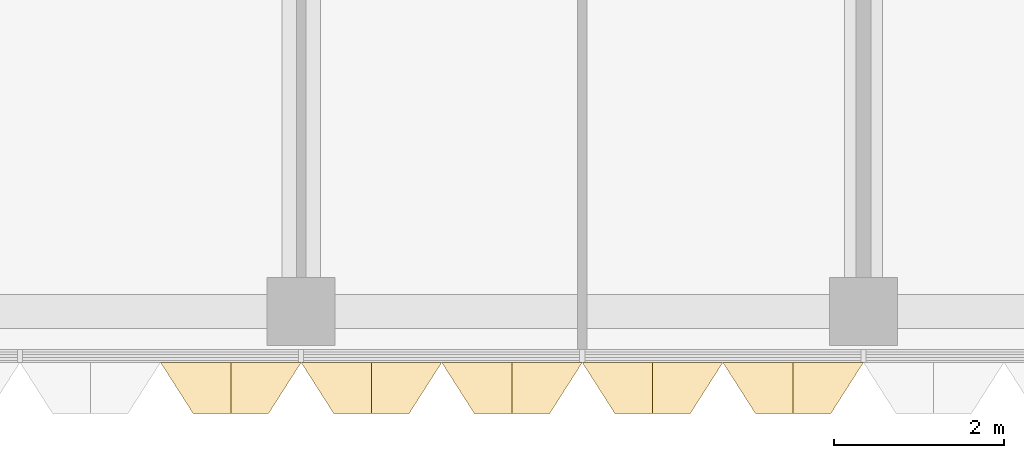
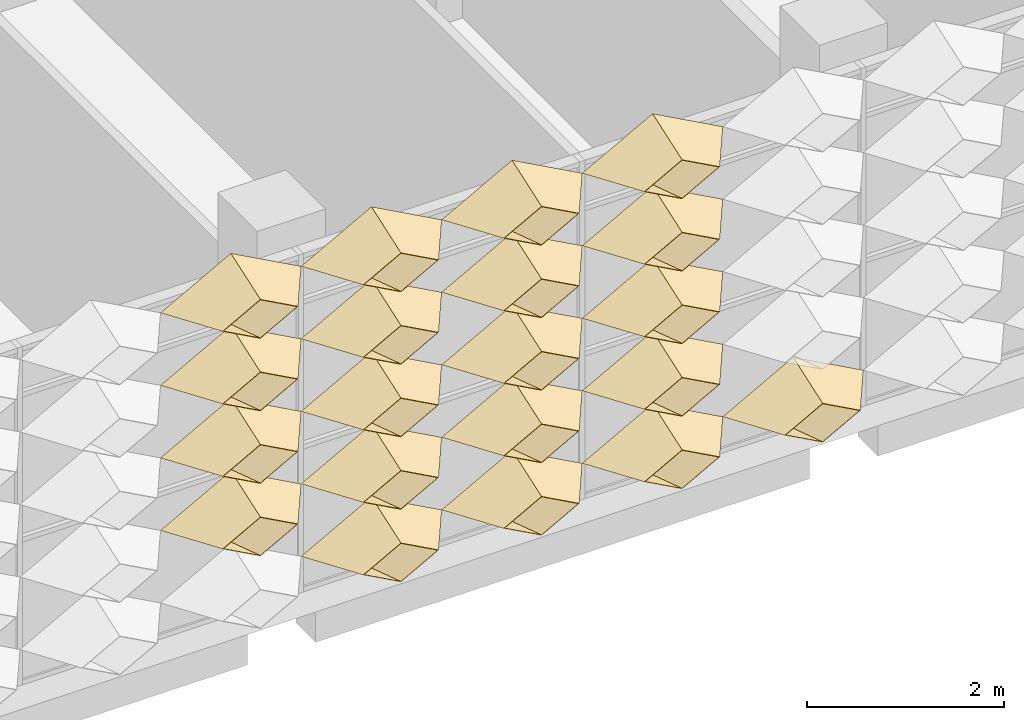
# One storey, part 49 of 61: 20 coverings.
"""IFC4 building model written with IfcOpenShell, lengths in metres."""

import ifcopenshell
import ifcopenshell.guid

model = None  # the IFC model being written
_history = None  # IfcOwnerHistory: only IFC2X3 demands one
_inside = {}  # id of a spatial element -> (the spatial element, [elements in it])
_under = {}  # id of a project, library or spatial element -> (it, [spatial elements below it])
_declared = {}  # id of a project -> (the project, [libraries it declares])
_typed = {}  # id of a type object -> (the type object, [elements of that type])
_made_of = {}  # id of a material, layer set ... -> (it, [elements and type objects made of it])


def new_model(schema):
    """Start an empty IFC model of exactly this schema.

    Asked for "IFC4X3", IfcOpenShell would pick the latest addendum, in which some entities
    have other attributes; the version numbers below select the first issue.
    IFC2X3 requires an IfcOwnerHistory on every rooted entity: one is made here for all.
    """
    global model, _history
    if schema == "IFC4X3":
        model = ifcopenshell.file(schema_version=(4, 3, 0, 0))
    else:
        model = ifcopenshell.file(schema=schema)
    _inside.clear()
    _under.clear()
    _declared.clear()
    _typed.clear()
    _made_of.clear()
    _history = None
    if model.schema == "IFC2X3":
        org = make("IfcOrganization", Name="unknown")
        user = make(
            "IfcPersonAndOrganization",
            ThePerson=make("IfcPerson", FamilyName="unknown"),
            TheOrganization=org,
        )
        app = make(
            "IfcApplication",
            ApplicationDeveloper=org,
            Version="unknown",
            ApplicationFullName="unknown",
            ApplicationIdentifier="unknown",
        )
        _history = make(
            "IfcOwnerHistory",
            OwningUser=user,
            OwningApplication=app,
            ChangeAction="ADDED",
            CreationDate=0,
        )
    return model


def make(cls, **values):
    """One entity of the class cls with the attributes given. An attribute that is None is left unset."""
    return model.create_entity(
        cls, **{name: value for name, value in values.items() if value is not None}
    )


def entity(cls, *values):
    """Any entity or typed value of the class cls, its attributes in the order of the schema. None: left unset."""
    e = model.create_entity(cls)
    for i, value in enumerate(values):
        if value is not None:
            e[i] = value
    return e


def rooted(cls, **values):
    """An entity with a GlobalId (a new one), such as an element, a storey or a relation."""
    return make(cls, GlobalId=ifcopenshell.guid.new(), OwnerHistory=_history, **values)


def si_unit(unit_type, name, prefix=None):
    """IfcSIUnit, for example si_unit("LENGTHUNIT", "METRE", prefix="MILLI")."""
    return make("IfcSIUnit", UnitType=unit_type, Prefix=prefix, Name=name)


def assignment(units):
    """IfcUnitAssignment: the units of a project."""
    return None if units is None else make("IfcUnitAssignment", Units=units)


def point(xyz):
    """IfcCartesianPoint."""
    return None if xyz is None else make("IfcCartesianPoint", Coordinates=xyz)


def direction(xyz):
    """IfcDirection."""
    return None if xyz is None else make("IfcDirection", DirectionRatios=xyz)


def frame(location, z_axis=None, x_axis=None):
    """IfcAxis2Placement3D, a coordinate frame: its origin and axes. An axis left out is left unset."""
    return make(
        "IfcAxis2Placement3D",
        Location=point(location),
        Axis=direction(z_axis),
        RefDirection=direction(x_axis),
    )


def origin():
    """The frame at (0, 0, 0) with its axes left unset."""
    return frame((0.0, 0.0, 0.0))


def place(relative_to, where):
    """IfcLocalPlacement: puts the frame where relative to a parent placement (None: the world)."""
    return make(
        "IfcLocalPlacement", PlacementRelTo=relative_to, RelativePlacement=where
    )


def context(
    kind, dimensions, precision=None, world=None, true_north=None, identifier=None
):
    """IfcGeometricRepresentationContext, for example the 3D "Model" context."""
    return make(
        "IfcGeometricRepresentationContext",
        ContextIdentifier=identifier,
        ContextType=kind,
        CoordinateSpaceDimension=dimensions,
        Precision=precision,
        WorldCoordinateSystem=world,
        TrueNorth=true_north,
    )


def subcontext(parent, identifier, kind, view, scale=None):
    """IfcGeometricRepresentationSubContext, for example "Body" below "Model"."""
    return make(
        "IfcGeometricRepresentationSubContext",
        ContextIdentifier=identifier,
        ContextType=kind,
        ParentContext=parent,
        TargetScale=scale,
        TargetView=view,
    )


def project(units=None, contexts=None):
    """IfcProject with its units and contexts."""
    return rooted(
        "IfcProject",
        Name="project",
        RepresentationContexts=contexts,
        UnitsInContext=assignment(units),
    )


def spatial(cls, under=None, at=None, **own):
    """A site, building, storey or space (cls), placed at a placement, below another one or the project."""
    s = rooted(cls, ObjectPlacement=at, **own)
    if under is not None:
        _under.setdefault(under.id(), (under, []))[1].append(s)
    return s


def shape(context_of_items, identifier, shape_type, items):
    """IfcShapeRepresentation: the items that make up one representation, for example the "Body"."""
    return make(
        "IfcShapeRepresentation",
        ContextOfItems=context_of_items,
        RepresentationIdentifier=identifier,
        RepresentationType=shape_type,
        Items=items,
    )


def material(Name=None, Category=None):
    """IfcMaterial."""
    return make("IfcMaterial", Name=Name, Category=Category)


def layer(
    of_material, thickness, ventilated=None, Name=None, Category=None, Priority=None
):
    """IfcMaterialLayer: one layer of a wall or slab, of a material (None: an air gap)."""
    return make(
        "IfcMaterialLayer",
        Material=of_material,
        LayerThickness=thickness,
        IsVentilated=ventilated,
        Name=Name,
        Category=Category,
        Priority=Priority,
    )


def layer_set(layers, Name=None):
    """IfcMaterialLayerSet."""
    return make("IfcMaterialLayerSet", MaterialLayers=layers, LayerSetName=Name)


def made_of(thing, what):
    """Note that an element or type object is made of a material, layer set ...; save() writes the relation."""
    if what is not None:
        _made_of.setdefault(what.id(), (what, []))[1].append(thing)
    return thing


def type_object(cls, material=None, **own):
    """A type object (cls), such as IfcWallType, which elements share."""
    return made_of(rooted(cls, **own), material)


def element(
    cls,
    number,
    at=None,
    inside=None,
    cuts=None,
    type_object=None,
    material=None,
    context=None,
    identifier="Body",
    shape_type=None,
    held_by="IfcProductDefinitionShape",
    body=None,
    shapes=None,
    **own,
):
    """One element of the class cls, such as IfcWall. Its Tag is "e" and its number.

    at: its placement. inside: the storey or other place that contains it. cuts: it is an
    opening in that element (IfcRelVoidsElement). A single representation is given by context,
    identifier, shape_type and body (its items); several are given by shapes. held_by: the class
    of the entity that holds the representations. save() writes the other relations.
    """
    e = rooted(cls, Tag="e%d" % number, ObjectPlacement=at, **own)
    if body is not None:
        shapes = [shape(context, identifier, shape_type, body)]
    if shapes is not None:
        e.Representation = make(held_by, Representations=shapes)
    if inside is not None:
        _inside.setdefault(inside.id(), (inside, []))[1].append(e)
    if cuts is not None:
        rooted(
            "IfcRelVoidsElement", RelatingBuildingElement=cuts, RelatedOpeningElement=e
        )
    if type_object is not None:
        _typed.setdefault(type_object.id(), (type_object, []))[1].append(e)
    return made_of(e, material)


def aggregate(whole, parts):
    """IfcRelAggregates: a whole, such as a stair, and the parts it consists of."""
    return rooted("IfcRelAggregates", RelatingObject=whole, RelatedObjects=parts)


def save(model, path):
    """Write the relations noted so far, then the file.

    IfcRelAggregates (storeys below a building ...), IfcRelContainedInSpatialStructure (elements
    in a storey), IfcRelDefinesByType, IfcRelAssociatesMaterial and IfcRelDeclares: one each for
    every whole, place, type object, material and project.
    """
    for whole, parts in _under.values():
        aggregate(whole, parts)
    for where, things in _inside.values():
        rooted(
            "IfcRelContainedInSpatialStructure",
            RelatedElements=things,
            RelatingStructure=where,
        )
    for kind, things in _typed.values():
        rooted("IfcRelDefinesByType", RelatedObjects=things, RelatingType=kind)
    for what, things in _made_of.values():
        rooted("IfcRelAssociatesMaterial", RelatedObjects=things, RelatingMaterial=what)
    for by, libraries in _declared.values():
        rooted("IfcRelDeclares", RelatingContext=by, RelatedDefinitions=libraries)
    model.write(path)


model = new_model("IFC4")

# Units and contexts
model_context = context("Model", 3, precision=1e-05, world=origin(), true_north=direction((0.0, 1.0)))
body_context = subcontext(model_context, "Body", "Model", "MODEL_VIEW")
ifc_project = project(units=[si_unit("LENGTHUNIT", "METRE"), si_unit("AREAUNIT", "SQUARE_METRE"), si_unit("VOLUMEUNIT", "CUBIC_METRE"), si_unit("PLANEANGLEUNIT", "RADIAN"), si_unit("MASSUNIT", "GRAM", prefix="KILO")], contexts=[model_context])

# Site, building, storey
site_placement = place(None, origin())
site = spatial("IfcSite", under=ifc_project, at=site_placement, CompositionType="ELEMENT")
building_placement = place(site_placement, origin())
building = spatial("IfcBuilding", under=site, at=building_placement, Name="Lantern Court Research Institute", CompositionType="ELEMENT")
storey_placement = place(building_placement, frame((0.0, 0.0, 23.39990234375)))
storey = spatial("IfcBuildingStorey", under=building, at=storey_placement, Name="L05", CompositionType="ELEMENT", Elevation=23.39990234375)

# Coverings
ifc_material = material(Name="Anodised aluminium", Category="aluminium")
ifc_layer = layer(ifc_material, 0.01611328125)
ifc_layer_set = layer_set([ifc_layer], Name="Anodised aluminium")
covering_type = type_object("IfcCoveringType", Name="Fin cassette 1650 x 900 x 600 aluminium", PredefinedType="CLADDING", material=ifc_layer_set)
covering_1_placement = place(storey_placement, frame((66.824951171875, -8.39990234375, 0.4501953125), z_axis=(0.0, -1.0, 0.0), x_axis=(1.0, 0.0, 0.0)))
cartesian_point_1 = entity("IfcCartesianPoint", [0.824951171875, 0.0])
cartesian_point_2 = entity("IfcCartesianPoint", [0.79150390625, 0.0])
cartesian_point_3 = entity("IfcCartesianPoint", [0.44189453125, 0.0])
cartesian_point_4 = entity("IfcCartesianPoint", [0.43359375, 0.0])
element("IfcCovering", 1, at=covering_1_placement, inside=storey, type_object=covering_type, Name="Fin cassette V5S-L05 1.41", PredefinedType="CLADDING", context=body_context, shape_type="SweptSolid", body=[
    entity("IfcExtrudedAreaSolidTapered", entity("IfcArbitraryProfileDefWithVoids", "AREA", None, entity("IfcPolyline", [cartesian_point_1, entity("IfcCartesianPoint", [0.0, 0.449951171875]), entity("IfcCartesianPoint", [-0.824951171875, 0.0]), entity("IfcCartesianPoint", [0.0, -0.449951171875]), cartesian_point_1]), [entity("IfcPolyline", [cartesian_point_2, entity("IfcCartesianPoint", [0.0, 0.431884765625]), entity("IfcCartesianPoint", [-0.79150390625, 0.0]), entity("IfcCartesianPoint", [0.0, -0.431884765625]), cartesian_point_2])]), entity("IfcAxis2Placement3D", entity("IfcCartesianPoint", [0.0, 0.0, 0.0])), entity("IfcDirection", [0.0, 0.0, 1.0]), 0.60009765625, entity("IfcArbitraryProfileDefWithVoids", "AREA", None, entity("IfcPolyline", [cartesian_point_3, entity("IfcCartesianPoint", [0.0, 0.240966796875]), entity("IfcCartesianPoint", [-0.44189453125, 0.0]), entity("IfcCartesianPoint", [0.0, -0.240966796875]), cartesian_point_3]), [entity("IfcPolyline", [cartesian_point_4, entity("IfcCartesianPoint", [0.0, 0.236572265625]), entity("IfcCartesianPoint", [-0.43359375, 0.0]), entity("IfcCartesianPoint", [0.0, -0.236572265625]), cartesian_point_4])])),
])
covering_2_placement = place(storey_placement, frame((68.47509765625, -8.39990234375, 0.4501953125), z_axis=(0.0, -1.0, 0.0), x_axis=(1.0, 0.0, 0.0)))
cartesian_point_5 = entity("IfcCartesianPoint", [0.824951171875, 0.0])
cartesian_point_6 = entity("IfcCartesianPoint", [0.79150390625, 0.0])
cartesian_point_7 = entity("IfcCartesianPoint", [0.44189453125, 0.0])
cartesian_point_8 = entity("IfcCartesianPoint", [0.43359375, 0.0])
element("IfcCovering", 2, at=covering_2_placement, inside=storey, type_object=covering_type, Name="Fin cassette V5S-L05 1.42", PredefinedType="CLADDING", context=body_context, shape_type="SweptSolid", body=[
    entity("IfcExtrudedAreaSolidTapered", entity("IfcArbitraryProfileDefWithVoids", "AREA", None, entity("IfcPolyline", [cartesian_point_5, entity("IfcCartesianPoint", [0.0, 0.449951171875]), entity("IfcCartesianPoint", [-0.824951171875, 0.0]), entity("IfcCartesianPoint", [0.0, -0.449951171875]), cartesian_point_5]), [entity("IfcPolyline", [cartesian_point_6, entity("IfcCartesianPoint", [0.0, 0.431884765625]), entity("IfcCartesianPoint", [-0.79150390625, 0.0]), entity("IfcCartesianPoint", [0.0, -0.431884765625]), cartesian_point_6])]), entity("IfcAxis2Placement3D", entity("IfcCartesianPoint", [0.0, 0.0, 0.0])), entity("IfcDirection", [0.0, 0.0, 1.0]), 0.60009765625, entity("IfcArbitraryProfileDefWithVoids", "AREA", None, entity("IfcPolyline", [cartesian_point_7, entity("IfcCartesianPoint", [0.0, 0.240966796875]), entity("IfcCartesianPoint", [-0.44189453125, 0.0]), entity("IfcCartesianPoint", [0.0, -0.240966796875]), cartesian_point_7]), [entity("IfcPolyline", [cartesian_point_8, entity("IfcCartesianPoint", [0.0, 0.236572265625]), entity("IfcCartesianPoint", [-0.43359375, 0.0]), entity("IfcCartesianPoint", [0.0, -0.236572265625]), cartesian_point_8])])),
])
covering_3_placement = place(storey_placement, frame((70.125, -8.39990234375, 0.4501953125), z_axis=(0.0, -1.0, 0.0), x_axis=(1.0, 0.0, 0.0)))
cartesian_point_9 = entity("IfcCartesianPoint", [0.824951171875, 0.0])
cartesian_point_10 = entity("IfcCartesianPoint", [0.79150390625, 0.0])
cartesian_point_11 = entity("IfcCartesianPoint", [0.44189453125, 0.0])
cartesian_point_12 = entity("IfcCartesianPoint", [0.43359375, 0.0])
element("IfcCovering", 3, at=covering_3_placement, inside=storey, type_object=covering_type, Name="Fin cassette V5S-L05 1.43", PredefinedType="CLADDING", context=body_context, shape_type="SweptSolid", body=[
    entity("IfcExtrudedAreaSolidTapered", entity("IfcArbitraryProfileDefWithVoids", "AREA", None, entity("IfcPolyline", [cartesian_point_9, entity("IfcCartesianPoint", [0.0, 0.449951171875]), entity("IfcCartesianPoint", [-0.824951171875, 0.0]), entity("IfcCartesianPoint", [0.0, -0.449951171875]), cartesian_point_9]), [entity("IfcPolyline", [cartesian_point_10, entity("IfcCartesianPoint", [0.0, 0.431884765625]), entity("IfcCartesianPoint", [-0.79150390625, 0.0]), entity("IfcCartesianPoint", [0.0, -0.431884765625]), cartesian_point_10])]), entity("IfcAxis2Placement3D", entity("IfcCartesianPoint", [0.0, 0.0, 0.0])), entity("IfcDirection", [0.0, 0.0, 1.0]), 0.60009765625, entity("IfcArbitraryProfileDefWithVoids", "AREA", None, entity("IfcPolyline", [cartesian_point_11, entity("IfcCartesianPoint", [0.0, 0.240966796875]), entity("IfcCartesianPoint", [-0.44189453125, 0.0]), entity("IfcCartesianPoint", [0.0, -0.240966796875]), cartesian_point_11]), [entity("IfcPolyline", [cartesian_point_12, entity("IfcCartesianPoint", [0.0, 0.236572265625]), entity("IfcCartesianPoint", [-0.43359375, 0.0]), entity("IfcCartesianPoint", [0.0, -0.236572265625]), cartesian_point_12])])),
])
covering_4_placement = place(storey_placement, frame((71.77490234375, -8.39990234375, 0.4501953125), z_axis=(0.0, -1.0, 0.0), x_axis=(1.0, 0.0, 0.0)))
cartesian_point_13 = entity("IfcCartesianPoint", [0.824951171875, 0.0])
cartesian_point_14 = entity("IfcCartesianPoint", [0.79150390625, 0.0])
cartesian_point_15 = entity("IfcCartesianPoint", [0.44189453125, 0.0])
cartesian_point_16 = entity("IfcCartesianPoint", [0.43359375, 0.0])
element("IfcCovering", 4, at=covering_4_placement, inside=storey, type_object=covering_type, Name="Fin cassette V5S-L05 1.44", PredefinedType="CLADDING", context=body_context, shape_type="SweptSolid", body=[
    entity("IfcExtrudedAreaSolidTapered", entity("IfcArbitraryProfileDefWithVoids", "AREA", None, entity("IfcPolyline", [cartesian_point_13, entity("IfcCartesianPoint", [0.0, 0.449951171875]), entity("IfcCartesianPoint", [-0.824951171875, 0.0]), entity("IfcCartesianPoint", [0.0, -0.449951171875]), cartesian_point_13]), [entity("IfcPolyline", [cartesian_point_14, entity("IfcCartesianPoint", [0.0, 0.431884765625]), entity("IfcCartesianPoint", [-0.79150390625, 0.0]), entity("IfcCartesianPoint", [0.0, -0.431884765625]), cartesian_point_14])]), entity("IfcAxis2Placement3D", entity("IfcCartesianPoint", [0.0, 0.0, 0.0])), entity("IfcDirection", [0.0, 0.0, 1.0]), 0.60009765625, entity("IfcArbitraryProfileDefWithVoids", "AREA", None, entity("IfcPolyline", [cartesian_point_15, entity("IfcCartesianPoint", [0.0, 0.240966796875]), entity("IfcCartesianPoint", [-0.44189453125, 0.0]), entity("IfcCartesianPoint", [0.0, -0.240966796875]), cartesian_point_15]), [entity("IfcPolyline", [cartesian_point_16, entity("IfcCartesianPoint", [0.0, 0.236572265625]), entity("IfcCartesianPoint", [-0.43359375, 0.0]), entity("IfcCartesianPoint", [0.0, -0.236572265625]), cartesian_point_16])])),
])
covering_5_placement = place(storey_placement, frame((65.175048828125, -8.39990234375, 1.35009765625), z_axis=(0.0, -1.0, 0.0), x_axis=(1.0, 0.0, 0.0)))
cartesian_point_17 = entity("IfcCartesianPoint", [0.824951171875, 0.0])
cartesian_point_18 = entity("IfcCartesianPoint", [0.79150390625, 0.0])
cartesian_point_19 = entity("IfcCartesianPoint", [0.44189453125, 0.0])
cartesian_point_20 = entity("IfcCartesianPoint", [0.43359375, 0.0])
element("IfcCovering", 5, at=covering_5_placement, inside=storey, type_object=covering_type, Name="Fin cassette V5S-L05 2.40", PredefinedType="CLADDING", context=body_context, shape_type="SweptSolid", body=[
    entity("IfcExtrudedAreaSolidTapered", entity("IfcArbitraryProfileDefWithVoids", "AREA", None, entity("IfcPolyline", [cartesian_point_17, entity("IfcCartesianPoint", [0.0, 0.449951171875]), entity("IfcCartesianPoint", [-0.824951171875, 0.0]), entity("IfcCartesianPoint", [0.0, -0.449951171875]), cartesian_point_17]), [entity("IfcPolyline", [cartesian_point_18, entity("IfcCartesianPoint", [0.0, 0.431884765625]), entity("IfcCartesianPoint", [-0.79150390625, 0.0]), entity("IfcCartesianPoint", [0.0, -0.431884765625]), cartesian_point_18])]), entity("IfcAxis2Placement3D", entity("IfcCartesianPoint", [0.0, 0.0, 0.0])), entity("IfcDirection", [0.0, 0.0, 1.0]), 0.60009765625, entity("IfcArbitraryProfileDefWithVoids", "AREA", None, entity("IfcPolyline", [cartesian_point_19, entity("IfcCartesianPoint", [0.0, 0.240966796875]), entity("IfcCartesianPoint", [-0.44189453125, 0.0]), entity("IfcCartesianPoint", [0.0, -0.240966796875]), cartesian_point_19]), [entity("IfcPolyline", [cartesian_point_20, entity("IfcCartesianPoint", [0.0, 0.236572265625]), entity("IfcCartesianPoint", [-0.43359375, 0.0]), entity("IfcCartesianPoint", [0.0, -0.236572265625]), cartesian_point_20])])),
])
covering_6_placement = place(storey_placement, frame((66.824951171875, -8.39990234375, 1.35009765625), z_axis=(0.0, -1.0, 0.0), x_axis=(1.0, 0.0, 0.0)))
cartesian_point_21 = entity("IfcCartesianPoint", [0.824951171875, 0.0])
cartesian_point_22 = entity("IfcCartesianPoint", [0.79150390625, 0.0])
cartesian_point_23 = entity("IfcCartesianPoint", [0.44189453125, 0.0])
cartesian_point_24 = entity("IfcCartesianPoint", [0.43359375, 0.0])
element("IfcCovering", 6, at=covering_6_placement, inside=storey, type_object=covering_type, Name="Fin cassette V5S-L05 2.41", PredefinedType="CLADDING", context=body_context, shape_type="SweptSolid", body=[
    entity("IfcExtrudedAreaSolidTapered", entity("IfcArbitraryProfileDefWithVoids", "AREA", None, entity("IfcPolyline", [cartesian_point_21, entity("IfcCartesianPoint", [0.0, 0.449951171875]), entity("IfcCartesianPoint", [-0.824951171875, 0.0]), entity("IfcCartesianPoint", [0.0, -0.449951171875]), cartesian_point_21]), [entity("IfcPolyline", [cartesian_point_22, entity("IfcCartesianPoint", [0.0, 0.431884765625]), entity("IfcCartesianPoint", [-0.79150390625, 0.0]), entity("IfcCartesianPoint", [0.0, -0.431884765625]), cartesian_point_22])]), entity("IfcAxis2Placement3D", entity("IfcCartesianPoint", [0.0, 0.0, 0.0])), entity("IfcDirection", [0.0, 0.0, 1.0]), 0.60009765625, entity("IfcArbitraryProfileDefWithVoids", "AREA", None, entity("IfcPolyline", [cartesian_point_23, entity("IfcCartesianPoint", [0.0, 0.240966796875]), entity("IfcCartesianPoint", [-0.44189453125, 0.0]), entity("IfcCartesianPoint", [0.0, -0.240966796875]), cartesian_point_23]), [entity("IfcPolyline", [cartesian_point_24, entity("IfcCartesianPoint", [0.0, 0.236572265625]), entity("IfcCartesianPoint", [-0.43359375, 0.0]), entity("IfcCartesianPoint", [0.0, -0.236572265625]), cartesian_point_24])])),
])
covering_7_placement = place(storey_placement, frame((68.47509765625, -8.39990234375, 1.35009765625), z_axis=(0.0, -1.0, 0.0), x_axis=(1.0, 0.0, 0.0)))
cartesian_point_25 = entity("IfcCartesianPoint", [0.824951171875, 0.0])
cartesian_point_26 = entity("IfcCartesianPoint", [0.79150390625, 0.0])
cartesian_point_27 = entity("IfcCartesianPoint", [0.44189453125, 0.0])
cartesian_point_28 = entity("IfcCartesianPoint", [0.43359375, 0.0])
element("IfcCovering", 7, at=covering_7_placement, inside=storey, type_object=covering_type, Name="Fin cassette V5S-L05 2.42", PredefinedType="CLADDING", context=body_context, shape_type="SweptSolid", body=[
    entity("IfcExtrudedAreaSolidTapered", entity("IfcArbitraryProfileDefWithVoids", "AREA", None, entity("IfcPolyline", [cartesian_point_25, entity("IfcCartesianPoint", [0.0, 0.449951171875]), entity("IfcCartesianPoint", [-0.824951171875, 0.0]), entity("IfcCartesianPoint", [0.0, -0.449951171875]), cartesian_point_25]), [entity("IfcPolyline", [cartesian_point_26, entity("IfcCartesianPoint", [0.0, 0.431884765625]), entity("IfcCartesianPoint", [-0.79150390625, 0.0]), entity("IfcCartesianPoint", [0.0, -0.431884765625]), cartesian_point_26])]), entity("IfcAxis2Placement3D", entity("IfcCartesianPoint", [0.0, 0.0, 0.0])), entity("IfcDirection", [0.0, 0.0, 1.0]), 0.60009765625, entity("IfcArbitraryProfileDefWithVoids", "AREA", None, entity("IfcPolyline", [cartesian_point_27, entity("IfcCartesianPoint", [0.0, 0.240966796875]), entity("IfcCartesianPoint", [-0.44189453125, 0.0]), entity("IfcCartesianPoint", [0.0, -0.240966796875]), cartesian_point_27]), [entity("IfcPolyline", [cartesian_point_28, entity("IfcCartesianPoint", [0.0, 0.236572265625]), entity("IfcCartesianPoint", [-0.43359375, 0.0]), entity("IfcCartesianPoint", [0.0, -0.236572265625]), cartesian_point_28])])),
])
covering_8_placement = place(storey_placement, frame((70.125, -8.39990234375, 1.35009765625), z_axis=(0.0, -1.0, 0.0), x_axis=(1.0, 0.0, 0.0)))
cartesian_point_29 = entity("IfcCartesianPoint", [0.824951171875, 0.0])
cartesian_point_30 = entity("IfcCartesianPoint", [0.79150390625, 0.0])
cartesian_point_31 = entity("IfcCartesianPoint", [0.44189453125, 0.0])
cartesian_point_32 = entity("IfcCartesianPoint", [0.43359375, 0.0])
element("IfcCovering", 8, at=covering_8_placement, inside=storey, type_object=covering_type, Name="Fin cassette V5S-L05 2.43", PredefinedType="CLADDING", context=body_context, shape_type="SweptSolid", body=[
    entity("IfcExtrudedAreaSolidTapered", entity("IfcArbitraryProfileDefWithVoids", "AREA", None, entity("IfcPolyline", [cartesian_point_29, entity("IfcCartesianPoint", [0.0, 0.449951171875]), entity("IfcCartesianPoint", [-0.824951171875, 0.0]), entity("IfcCartesianPoint", [0.0, -0.449951171875]), cartesian_point_29]), [entity("IfcPolyline", [cartesian_point_30, entity("IfcCartesianPoint", [0.0, 0.431884765625]), entity("IfcCartesianPoint", [-0.79150390625, 0.0]), entity("IfcCartesianPoint", [0.0, -0.431884765625]), cartesian_point_30])]), entity("IfcAxis2Placement3D", entity("IfcCartesianPoint", [0.0, 0.0, 0.0])), entity("IfcDirection", [0.0, 0.0, 1.0]), 0.60009765625, entity("IfcArbitraryProfileDefWithVoids", "AREA", None, entity("IfcPolyline", [cartesian_point_31, entity("IfcCartesianPoint", [0.0, 0.240966796875]), entity("IfcCartesianPoint", [-0.44189453125, 0.0]), entity("IfcCartesianPoint", [0.0, -0.240966796875]), cartesian_point_31]), [entity("IfcPolyline", [cartesian_point_32, entity("IfcCartesianPoint", [0.0, 0.236572265625]), entity("IfcCartesianPoint", [-0.43359375, 0.0]), entity("IfcCartesianPoint", [0.0, -0.236572265625]), cartesian_point_32])])),
])
covering_9_placement = place(storey_placement, frame((65.175048828125, -8.39990234375, 2.25), z_axis=(0.0, -1.0, 0.0), x_axis=(1.0, 0.0, 0.0)))
cartesian_point_33 = entity("IfcCartesianPoint", [0.824951171875, 0.0])
cartesian_point_34 = entity("IfcCartesianPoint", [0.79150390625, 0.0])
cartesian_point_35 = entity("IfcCartesianPoint", [0.44189453125, 0.0])
cartesian_point_36 = entity("IfcCartesianPoint", [0.43359375, 0.0])
element("IfcCovering", 9, at=covering_9_placement, inside=storey, type_object=covering_type, Name="Fin cassette V5S-L05 3.40", PredefinedType="CLADDING", context=body_context, shape_type="SweptSolid", body=[
    entity("IfcExtrudedAreaSolidTapered", entity("IfcArbitraryProfileDefWithVoids", "AREA", None, entity("IfcPolyline", [cartesian_point_33, entity("IfcCartesianPoint", [0.0, 0.449951171875]), entity("IfcCartesianPoint", [-0.824951171875, 0.0]), entity("IfcCartesianPoint", [0.0, -0.449951171875]), cartesian_point_33]), [entity("IfcPolyline", [cartesian_point_34, entity("IfcCartesianPoint", [0.0, 0.431884765625]), entity("IfcCartesianPoint", [-0.79150390625, 0.0]), entity("IfcCartesianPoint", [0.0, -0.431884765625]), cartesian_point_34])]), entity("IfcAxis2Placement3D", entity("IfcCartesianPoint", [0.0, 0.0, 0.0])), entity("IfcDirection", [0.0, 0.0, 1.0]), 0.60009765625, entity("IfcArbitraryProfileDefWithVoids", "AREA", None, entity("IfcPolyline", [cartesian_point_35, entity("IfcCartesianPoint", [0.0, 0.240966796875]), entity("IfcCartesianPoint", [-0.44189453125, 0.0]), entity("IfcCartesianPoint", [0.0, -0.240966796875]), cartesian_point_35]), [entity("IfcPolyline", [cartesian_point_36, entity("IfcCartesianPoint", [0.0, 0.236572265625]), entity("IfcCartesianPoint", [-0.43359375, 0.0]), entity("IfcCartesianPoint", [0.0, -0.236572265625]), cartesian_point_36])])),
])
covering_10_placement = place(storey_placement, frame((66.824951171875, -8.39990234375, 2.25), z_axis=(0.0, -1.0, 0.0), x_axis=(1.0, 0.0, 0.0)))
cartesian_point_37 = entity("IfcCartesianPoint", [0.824951171875, 0.0])
cartesian_point_38 = entity("IfcCartesianPoint", [0.79150390625, 0.0])
cartesian_point_39 = entity("IfcCartesianPoint", [0.44189453125, 0.0])
cartesian_point_40 = entity("IfcCartesianPoint", [0.43359375, 0.0])
element("IfcCovering", 10, at=covering_10_placement, inside=storey, type_object=covering_type, Name="Fin cassette V5S-L05 3.41", PredefinedType="CLADDING", context=body_context, shape_type="SweptSolid", body=[
    entity("IfcExtrudedAreaSolidTapered", entity("IfcArbitraryProfileDefWithVoids", "AREA", None, entity("IfcPolyline", [cartesian_point_37, entity("IfcCartesianPoint", [0.0, 0.449951171875]), entity("IfcCartesianPoint", [-0.824951171875, 0.0]), entity("IfcCartesianPoint", [0.0, -0.449951171875]), cartesian_point_37]), [entity("IfcPolyline", [cartesian_point_38, entity("IfcCartesianPoint", [0.0, 0.431884765625]), entity("IfcCartesianPoint", [-0.79150390625, 0.0]), entity("IfcCartesianPoint", [0.0, -0.431884765625]), cartesian_point_38])]), entity("IfcAxis2Placement3D", entity("IfcCartesianPoint", [0.0, 0.0, 0.0])), entity("IfcDirection", [0.0, 0.0, 1.0]), 0.60009765625, entity("IfcArbitraryProfileDefWithVoids", "AREA", None, entity("IfcPolyline", [cartesian_point_39, entity("IfcCartesianPoint", [0.0, 0.240966796875]), entity("IfcCartesianPoint", [-0.44189453125, 0.0]), entity("IfcCartesianPoint", [0.0, -0.240966796875]), cartesian_point_39]), [entity("IfcPolyline", [cartesian_point_40, entity("IfcCartesianPoint", [0.0, 0.236572265625]), entity("IfcCartesianPoint", [-0.43359375, 0.0]), entity("IfcCartesianPoint", [0.0, -0.236572265625]), cartesian_point_40])])),
])
covering_11_placement = place(storey_placement, frame((68.47509765625, -8.39990234375, 2.25), z_axis=(0.0, -1.0, 0.0), x_axis=(1.0, 0.0, 0.0)))
cartesian_point_41 = entity("IfcCartesianPoint", [0.824951171875, 0.0])
cartesian_point_42 = entity("IfcCartesianPoint", [0.79150390625, 0.0])
cartesian_point_43 = entity("IfcCartesianPoint", [0.44189453125, 0.0])
cartesian_point_44 = entity("IfcCartesianPoint", [0.43359375, 0.0])
element("IfcCovering", 11, at=covering_11_placement, inside=storey, type_object=covering_type, Name="Fin cassette V5S-L05 3.42", PredefinedType="CLADDING", context=body_context, shape_type="SweptSolid", body=[
    entity("IfcExtrudedAreaSolidTapered", entity("IfcArbitraryProfileDefWithVoids", "AREA", None, entity("IfcPolyline", [cartesian_point_41, entity("IfcCartesianPoint", [0.0, 0.449951171875]), entity("IfcCartesianPoint", [-0.824951171875, 0.0]), entity("IfcCartesianPoint", [0.0, -0.449951171875]), cartesian_point_41]), [entity("IfcPolyline", [cartesian_point_42, entity("IfcCartesianPoint", [0.0, 0.431884765625]), entity("IfcCartesianPoint", [-0.79150390625, 0.0]), entity("IfcCartesianPoint", [0.0, -0.431884765625]), cartesian_point_42])]), entity("IfcAxis2Placement3D", entity("IfcCartesianPoint", [0.0, 0.0, 0.0])), entity("IfcDirection", [0.0, 0.0, 1.0]), 0.60009765625, entity("IfcArbitraryProfileDefWithVoids", "AREA", None, entity("IfcPolyline", [cartesian_point_43, entity("IfcCartesianPoint", [0.0, 0.240966796875]), entity("IfcCartesianPoint", [-0.44189453125, 0.0]), entity("IfcCartesianPoint", [0.0, -0.240966796875]), cartesian_point_43]), [entity("IfcPolyline", [cartesian_point_44, entity("IfcCartesianPoint", [0.0, 0.236572265625]), entity("IfcCartesianPoint", [-0.43359375, 0.0]), entity("IfcCartesianPoint", [0.0, -0.236572265625]), cartesian_point_44])])),
])
covering_12_placement = place(storey_placement, frame((70.125, -8.39990234375, 2.25), z_axis=(0.0, -1.0, 0.0), x_axis=(1.0, 0.0, 0.0)))
cartesian_point_45 = entity("IfcCartesianPoint", [0.824951171875, 0.0])
cartesian_point_46 = entity("IfcCartesianPoint", [0.79150390625, 0.0])
cartesian_point_47 = entity("IfcCartesianPoint", [0.44189453125, 0.0])
cartesian_point_48 = entity("IfcCartesianPoint", [0.43359375, 0.0])
element("IfcCovering", 12, at=covering_12_placement, inside=storey, type_object=covering_type, Name="Fin cassette V5S-L05 3.43", PredefinedType="CLADDING", context=body_context, shape_type="SweptSolid", body=[
    entity("IfcExtrudedAreaSolidTapered", entity("IfcArbitraryProfileDefWithVoids", "AREA", None, entity("IfcPolyline", [cartesian_point_45, entity("IfcCartesianPoint", [0.0, 0.449951171875]), entity("IfcCartesianPoint", [-0.824951171875, 0.0]), entity("IfcCartesianPoint", [0.0, -0.449951171875]), cartesian_point_45]), [entity("IfcPolyline", [cartesian_point_46, entity("IfcCartesianPoint", [0.0, 0.431884765625]), entity("IfcCartesianPoint", [-0.79150390625, 0.0]), entity("IfcCartesianPoint", [0.0, -0.431884765625]), cartesian_point_46])]), entity("IfcAxis2Placement3D", entity("IfcCartesianPoint", [0.0, 0.0, 0.0])), entity("IfcDirection", [0.0, 0.0, 1.0]), 0.60009765625, entity("IfcArbitraryProfileDefWithVoids", "AREA", None, entity("IfcPolyline", [cartesian_point_47, entity("IfcCartesianPoint", [0.0, 0.240966796875]), entity("IfcCartesianPoint", [-0.44189453125, 0.0]), entity("IfcCartesianPoint", [0.0, -0.240966796875]), cartesian_point_47]), [entity("IfcPolyline", [cartesian_point_48, entity("IfcCartesianPoint", [0.0, 0.236572265625]), entity("IfcCartesianPoint", [-0.43359375, 0.0]), entity("IfcCartesianPoint", [0.0, -0.236572265625]), cartesian_point_48])])),
])
covering_13_placement = place(storey_placement, frame((65.175048828125, -8.39990234375, 3.150146484375), z_axis=(0.0, -1.0, 0.0), x_axis=(1.0, 0.0, 0.0)))
cartesian_point_49 = entity("IfcCartesianPoint", [0.824951171875, 0.0])
cartesian_point_50 = entity("IfcCartesianPoint", [0.79150390625, 0.0])
cartesian_point_51 = entity("IfcCartesianPoint", [0.44189453125, 0.0])
cartesian_point_52 = entity("IfcCartesianPoint", [0.43359375, 0.0])
element("IfcCovering", 13, at=covering_13_placement, inside=storey, type_object=covering_type, Name="Fin cassette V5S-L05 4.40", PredefinedType="CLADDING", context=body_context, shape_type="SweptSolid", body=[
    entity("IfcExtrudedAreaSolidTapered", entity("IfcArbitraryProfileDefWithVoids", "AREA", None, entity("IfcPolyline", [cartesian_point_49, entity("IfcCartesianPoint", [0.0, 0.449951171875]), entity("IfcCartesianPoint", [-0.824951171875, 0.0]), entity("IfcCartesianPoint", [0.0, -0.449951171875]), cartesian_point_49]), [entity("IfcPolyline", [cartesian_point_50, entity("IfcCartesianPoint", [0.0, 0.431884765625]), entity("IfcCartesianPoint", [-0.79150390625, 0.0]), entity("IfcCartesianPoint", [0.0, -0.431884765625]), cartesian_point_50])]), entity("IfcAxis2Placement3D", entity("IfcCartesianPoint", [0.0, 0.0, 0.0])), entity("IfcDirection", [0.0, 0.0, 1.0]), 0.60009765625, entity("IfcArbitraryProfileDefWithVoids", "AREA", None, entity("IfcPolyline", [cartesian_point_51, entity("IfcCartesianPoint", [0.0, 0.240966796875]), entity("IfcCartesianPoint", [-0.44189453125, 0.0]), entity("IfcCartesianPoint", [0.0, -0.240966796875]), cartesian_point_51]), [entity("IfcPolyline", [cartesian_point_52, entity("IfcCartesianPoint", [0.0, 0.236572265625]), entity("IfcCartesianPoint", [-0.43359375, 0.0]), entity("IfcCartesianPoint", [0.0, -0.236572265625]), cartesian_point_52])])),
])
covering_14_placement = place(storey_placement, frame((66.824951171875, -8.39990234375, 3.150146484375), z_axis=(0.0, -1.0, 0.0), x_axis=(1.0, 0.0, 0.0)))
cartesian_point_53 = entity("IfcCartesianPoint", [0.824951171875, 0.0])
cartesian_point_54 = entity("IfcCartesianPoint", [0.79150390625, 0.0])
cartesian_point_55 = entity("IfcCartesianPoint", [0.44189453125, 0.0])
cartesian_point_56 = entity("IfcCartesianPoint", [0.43359375, 0.0])
element("IfcCovering", 14, at=covering_14_placement, inside=storey, type_object=covering_type, Name="Fin cassette V5S-L05 4.41", PredefinedType="CLADDING", context=body_context, shape_type="SweptSolid", body=[
    entity("IfcExtrudedAreaSolidTapered", entity("IfcArbitraryProfileDefWithVoids", "AREA", None, entity("IfcPolyline", [cartesian_point_53, entity("IfcCartesianPoint", [0.0, 0.449951171875]), entity("IfcCartesianPoint", [-0.824951171875, 0.0]), entity("IfcCartesianPoint", [0.0, -0.449951171875]), cartesian_point_53]), [entity("IfcPolyline", [cartesian_point_54, entity("IfcCartesianPoint", [0.0, 0.431884765625]), entity("IfcCartesianPoint", [-0.79150390625, 0.0]), entity("IfcCartesianPoint", [0.0, -0.431884765625]), cartesian_point_54])]), entity("IfcAxis2Placement3D", entity("IfcCartesianPoint", [0.0, 0.0, 0.0])), entity("IfcDirection", [0.0, 0.0, 1.0]), 0.60009765625, entity("IfcArbitraryProfileDefWithVoids", "AREA", None, entity("IfcPolyline", [cartesian_point_55, entity("IfcCartesianPoint", [0.0, 0.240966796875]), entity("IfcCartesianPoint", [-0.44189453125, 0.0]), entity("IfcCartesianPoint", [0.0, -0.240966796875]), cartesian_point_55]), [entity("IfcPolyline", [cartesian_point_56, entity("IfcCartesianPoint", [0.0, 0.236572265625]), entity("IfcCartesianPoint", [-0.43359375, 0.0]), entity("IfcCartesianPoint", [0.0, -0.236572265625]), cartesian_point_56])])),
])
covering_15_placement = place(storey_placement, frame((68.47509765625, -8.39990234375, 3.150146484375), z_axis=(0.0, -1.0, 0.0), x_axis=(1.0, 0.0, 0.0)))
cartesian_point_57 = entity("IfcCartesianPoint", [0.824951171875, 0.0])
cartesian_point_58 = entity("IfcCartesianPoint", [0.79150390625, 0.0])
cartesian_point_59 = entity("IfcCartesianPoint", [0.44189453125, 0.0])
cartesian_point_60 = entity("IfcCartesianPoint", [0.43359375, 0.0])
element("IfcCovering", 15, at=covering_15_placement, inside=storey, type_object=covering_type, Name="Fin cassette V5S-L05 4.42", PredefinedType="CLADDING", context=body_context, shape_type="SweptSolid", body=[
    entity("IfcExtrudedAreaSolidTapered", entity("IfcArbitraryProfileDefWithVoids", "AREA", None, entity("IfcPolyline", [cartesian_point_57, entity("IfcCartesianPoint", [0.0, 0.449951171875]), entity("IfcCartesianPoint", [-0.824951171875, 0.0]), entity("IfcCartesianPoint", [0.0, -0.449951171875]), cartesian_point_57]), [entity("IfcPolyline", [cartesian_point_58, entity("IfcCartesianPoint", [0.0, 0.431884765625]), entity("IfcCartesianPoint", [-0.79150390625, 0.0]), entity("IfcCartesianPoint", [0.0, -0.431884765625]), cartesian_point_58])]), entity("IfcAxis2Placement3D", entity("IfcCartesianPoint", [0.0, 0.0, 0.0])), entity("IfcDirection", [0.0, 0.0, 1.0]), 0.60009765625, entity("IfcArbitraryProfileDefWithVoids", "AREA", None, entity("IfcPolyline", [cartesian_point_59, entity("IfcCartesianPoint", [0.0, 0.240966796875]), entity("IfcCartesianPoint", [-0.44189453125, 0.0]), entity("IfcCartesianPoint", [0.0, -0.240966796875]), cartesian_point_59]), [entity("IfcPolyline", [cartesian_point_60, entity("IfcCartesianPoint", [0.0, 0.236572265625]), entity("IfcCartesianPoint", [-0.43359375, 0.0]), entity("IfcCartesianPoint", [0.0, -0.236572265625]), cartesian_point_60])])),
])
covering_16_placement = place(storey_placement, frame((70.125, -8.39990234375, 3.150146484375), z_axis=(0.0, -1.0, 0.0), x_axis=(1.0, 0.0, 0.0)))
cartesian_point_61 = entity("IfcCartesianPoint", [0.824951171875, 0.0])
cartesian_point_62 = entity("IfcCartesianPoint", [0.79150390625, 0.0])
cartesian_point_63 = entity("IfcCartesianPoint", [0.44189453125, 0.0])
cartesian_point_64 = entity("IfcCartesianPoint", [0.43359375, 0.0])
element("IfcCovering", 16, at=covering_16_placement, inside=storey, type_object=covering_type, Name="Fin cassette V5S-L05 4.43", PredefinedType="CLADDING", context=body_context, shape_type="SweptSolid", body=[
    entity("IfcExtrudedAreaSolidTapered", entity("IfcArbitraryProfileDefWithVoids", "AREA", None, entity("IfcPolyline", [cartesian_point_61, entity("IfcCartesianPoint", [0.0, 0.449951171875]), entity("IfcCartesianPoint", [-0.824951171875, 0.0]), entity("IfcCartesianPoint", [0.0, -0.449951171875]), cartesian_point_61]), [entity("IfcPolyline", [cartesian_point_62, entity("IfcCartesianPoint", [0.0, 0.431884765625]), entity("IfcCartesianPoint", [-0.79150390625, 0.0]), entity("IfcCartesianPoint", [0.0, -0.431884765625]), cartesian_point_62])]), entity("IfcAxis2Placement3D", entity("IfcCartesianPoint", [0.0, 0.0, 0.0])), entity("IfcDirection", [0.0, 0.0, 1.0]), 0.60009765625, entity("IfcArbitraryProfileDefWithVoids", "AREA", None, entity("IfcPolyline", [cartesian_point_63, entity("IfcCartesianPoint", [0.0, 0.240966796875]), entity("IfcCartesianPoint", [-0.44189453125, 0.0]), entity("IfcCartesianPoint", [0.0, -0.240966796875]), cartesian_point_63]), [entity("IfcPolyline", [cartesian_point_64, entity("IfcCartesianPoint", [0.0, 0.236572265625]), entity("IfcCartesianPoint", [-0.43359375, 0.0]), entity("IfcCartesianPoint", [0.0, -0.236572265625]), cartesian_point_64])])),
])
covering_17_placement = place(storey_placement, frame((65.175048828125, -8.39990234375, 4.050048828125), z_axis=(0.0, -1.0, 0.0), x_axis=(1.0, 0.0, 0.0)))
cartesian_point_65 = entity("IfcCartesianPoint", [0.824951171875, 0.0])
cartesian_point_66 = entity("IfcCartesianPoint", [0.79150390625, 0.0])
cartesian_point_67 = entity("IfcCartesianPoint", [0.44189453125, 0.0])
cartesian_point_68 = entity("IfcCartesianPoint", [0.43359375, 0.0])
element("IfcCovering", 17, at=covering_17_placement, inside=storey, type_object=covering_type, Name="Fin cassette V5S-L05 5.40", PredefinedType="CLADDING", context=body_context, shape_type="SweptSolid", body=[
    entity("IfcExtrudedAreaSolidTapered", entity("IfcArbitraryProfileDefWithVoids", "AREA", None, entity("IfcPolyline", [cartesian_point_65, entity("IfcCartesianPoint", [0.0, 0.449951171875]), entity("IfcCartesianPoint", [-0.824951171875, 0.0]), entity("IfcCartesianPoint", [0.0, -0.449951171875]), cartesian_point_65]), [entity("IfcPolyline", [cartesian_point_66, entity("IfcCartesianPoint", [0.0, 0.431884765625]), entity("IfcCartesianPoint", [-0.79150390625, 0.0]), entity("IfcCartesianPoint", [0.0, -0.431884765625]), cartesian_point_66])]), entity("IfcAxis2Placement3D", entity("IfcCartesianPoint", [0.0, 0.0, 0.0])), entity("IfcDirection", [0.0, 0.0, 1.0]), 0.60009765625, entity("IfcArbitraryProfileDefWithVoids", "AREA", None, entity("IfcPolyline", [cartesian_point_67, entity("IfcCartesianPoint", [0.0, 0.240966796875]), entity("IfcCartesianPoint", [-0.44189453125, 0.0]), entity("IfcCartesianPoint", [0.0, -0.240966796875]), cartesian_point_67]), [entity("IfcPolyline", [cartesian_point_68, entity("IfcCartesianPoint", [0.0, 0.236572265625]), entity("IfcCartesianPoint", [-0.43359375, 0.0]), entity("IfcCartesianPoint", [0.0, -0.236572265625]), cartesian_point_68])])),
])
covering_18_placement = place(storey_placement, frame((66.824951171875, -8.39990234375, 4.050048828125), z_axis=(0.0, -1.0, 0.0), x_axis=(1.0, 0.0, 0.0)))
cartesian_point_69 = entity("IfcCartesianPoint", [0.824951171875, 0.0])
cartesian_point_70 = entity("IfcCartesianPoint", [0.79150390625, 0.0])
cartesian_point_71 = entity("IfcCartesianPoint", [0.44189453125, 0.0])
cartesian_point_72 = entity("IfcCartesianPoint", [0.43359375, 0.0])
element("IfcCovering", 18, at=covering_18_placement, inside=storey, type_object=covering_type, Name="Fin cassette V5S-L05 5.41", PredefinedType="CLADDING", context=body_context, shape_type="SweptSolid", body=[
    entity("IfcExtrudedAreaSolidTapered", entity("IfcArbitraryProfileDefWithVoids", "AREA", None, entity("IfcPolyline", [cartesian_point_69, entity("IfcCartesianPoint", [0.0, 0.449951171875]), entity("IfcCartesianPoint", [-0.824951171875, 0.0]), entity("IfcCartesianPoint", [0.0, -0.449951171875]), cartesian_point_69]), [entity("IfcPolyline", [cartesian_point_70, entity("IfcCartesianPoint", [0.0, 0.431884765625]), entity("IfcCartesianPoint", [-0.79150390625, 0.0]), entity("IfcCartesianPoint", [0.0, -0.431884765625]), cartesian_point_70])]), entity("IfcAxis2Placement3D", entity("IfcCartesianPoint", [0.0, 0.0, 0.0])), entity("IfcDirection", [0.0, 0.0, 1.0]), 0.60009765625, entity("IfcArbitraryProfileDefWithVoids", "AREA", None, entity("IfcPolyline", [cartesian_point_71, entity("IfcCartesianPoint", [0.0, 0.240966796875]), entity("IfcCartesianPoint", [-0.44189453125, 0.0]), entity("IfcCartesianPoint", [0.0, -0.240966796875]), cartesian_point_71]), [entity("IfcPolyline", [cartesian_point_72, entity("IfcCartesianPoint", [0.0, 0.236572265625]), entity("IfcCartesianPoint", [-0.43359375, 0.0]), entity("IfcCartesianPoint", [0.0, -0.236572265625]), cartesian_point_72])])),
])
covering_19_placement = place(storey_placement, frame((68.47509765625, -8.39990234375, 4.050048828125), z_axis=(0.0, -1.0, 0.0), x_axis=(1.0, 0.0, 0.0)))
cartesian_point_73 = entity("IfcCartesianPoint", [0.824951171875, 0.0])
cartesian_point_74 = entity("IfcCartesianPoint", [0.79150390625, 0.0])
cartesian_point_75 = entity("IfcCartesianPoint", [0.44189453125, 0.0])
cartesian_point_76 = entity("IfcCartesianPoint", [0.43359375, 0.0])
element("IfcCovering", 19, at=covering_19_placement, inside=storey, type_object=covering_type, Name="Fin cassette V5S-L05 5.42", PredefinedType="CLADDING", context=body_context, shape_type="SweptSolid", body=[
    entity("IfcExtrudedAreaSolidTapered", entity("IfcArbitraryProfileDefWithVoids", "AREA", None, entity("IfcPolyline", [cartesian_point_73, entity("IfcCartesianPoint", [0.0, 0.449951171875]), entity("IfcCartesianPoint", [-0.824951171875, 0.0]), entity("IfcCartesianPoint", [0.0, -0.449951171875]), cartesian_point_73]), [entity("IfcPolyline", [cartesian_point_74, entity("IfcCartesianPoint", [0.0, 0.431884765625]), entity("IfcCartesianPoint", [-0.79150390625, 0.0]), entity("IfcCartesianPoint", [0.0, -0.431884765625]), cartesian_point_74])]), entity("IfcAxis2Placement3D", entity("IfcCartesianPoint", [0.0, 0.0, 0.0])), entity("IfcDirection", [0.0, 0.0, 1.0]), 0.60009765625, entity("IfcArbitraryProfileDefWithVoids", "AREA", None, entity("IfcPolyline", [cartesian_point_75, entity("IfcCartesianPoint", [0.0, 0.240966796875]), entity("IfcCartesianPoint", [-0.44189453125, 0.0]), entity("IfcCartesianPoint", [0.0, -0.240966796875]), cartesian_point_75]), [entity("IfcPolyline", [cartesian_point_76, entity("IfcCartesianPoint", [0.0, 0.236572265625]), entity("IfcCartesianPoint", [-0.43359375, 0.0]), entity("IfcCartesianPoint", [0.0, -0.236572265625]), cartesian_point_76])])),
])
covering_20_placement = place(storey_placement, frame((70.125, -8.39990234375, 4.050048828125), z_axis=(0.0, -1.0, 0.0), x_axis=(1.0, 0.0, 0.0)))
cartesian_point_77 = entity("IfcCartesianPoint", [0.824951171875, 0.0])
cartesian_point_78 = entity("IfcCartesianPoint", [0.79150390625, 0.0])
cartesian_point_79 = entity("IfcCartesianPoint", [0.44189453125, 0.0])
cartesian_point_80 = entity("IfcCartesianPoint", [0.43359375, 0.0])
element("IfcCovering", 20, at=covering_20_placement, inside=storey, type_object=covering_type, Name="Fin cassette V5S-L05 5.43", PredefinedType="CLADDING", context=body_context, shape_type="SweptSolid", body=[
    entity("IfcExtrudedAreaSolidTapered", entity("IfcArbitraryProfileDefWithVoids", "AREA", None, entity("IfcPolyline", [cartesian_point_77, entity("IfcCartesianPoint", [0.0, 0.449951171875]), entity("IfcCartesianPoint", [-0.824951171875, 0.0]), entity("IfcCartesianPoint", [0.0, -0.449951171875]), cartesian_point_77]), [entity("IfcPolyline", [cartesian_point_78, entity("IfcCartesianPoint", [0.0, 0.431884765625]), entity("IfcCartesianPoint", [-0.79150390625, 0.0]), entity("IfcCartesianPoint", [0.0, -0.431884765625]), cartesian_point_78])]), entity("IfcAxis2Placement3D", entity("IfcCartesianPoint", [0.0, 0.0, 0.0])), entity("IfcDirection", [0.0, 0.0, 1.0]), 0.60009765625, entity("IfcArbitraryProfileDefWithVoids", "AREA", None, entity("IfcPolyline", [cartesian_point_79, entity("IfcCartesianPoint", [0.0, 0.240966796875]), entity("IfcCartesianPoint", [-0.44189453125, 0.0]), entity("IfcCartesianPoint", [0.0, -0.240966796875]), cartesian_point_79]), [entity("IfcPolyline", [cartesian_point_80, entity("IfcCartesianPoint", [0.0, 0.236572265625]), entity("IfcCartesianPoint", [-0.43359375, 0.0]), entity("IfcCartesianPoint", [0.0, -0.236572265625]), cartesian_point_80])])),
])

save(model, "model.ifc")
